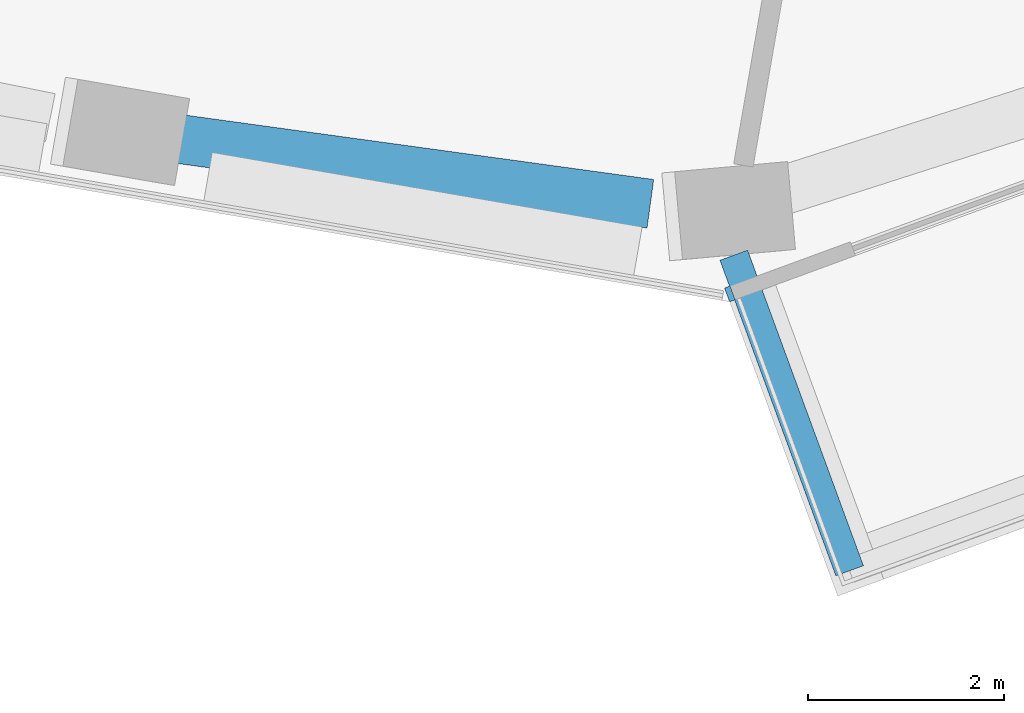
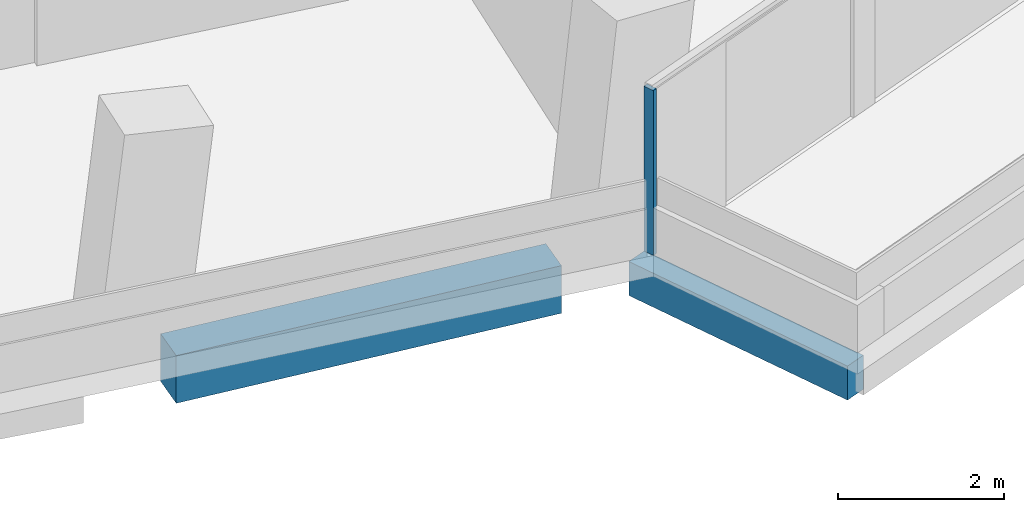
# One storey, part 3 of 24: 2 beams, 1 member, 1 element without a shape of its own.
"""IFC4 building model written with IfcOpenShell, lengths in metres."""

from ifc_helpers import new_model, si_unit, direction, frame, origin, origin_2d, place, context, subcontext, project, spatial, rectangle, extrude, material, layer, layer_set, material_profile, profile_set, type_object, element, aggregate, save


model = new_model("IFC4")

# Units and contexts
model_context = context("Model", 3, precision=1e-05, world=origin(), true_north=direction((0.0, 1.0)))
body_context = subcontext(model_context, "Body", "Model", "MODEL_VIEW")
ifc_project = project(units=[si_unit("LENGTHUNIT", "METRE"), si_unit("AREAUNIT", "SQUARE_METRE"), si_unit("VOLUMEUNIT", "CUBIC_METRE"), si_unit("PLANEANGLEUNIT", "RADIAN"), si_unit("MASSUNIT", "GRAM", prefix="KILO")], contexts=[model_context])

# Site, building, storey
site_placement = place(None, origin())
site = spatial("IfcSite", under=ifc_project, at=site_placement, CompositionType="ELEMENT")
building_placement = place(site_placement, origin())
building = spatial("IfcBuilding", under=site, at=building_placement, Name="Verdalira Terraces Hotel", CompositionType="ELEMENT")
storey_placement = place(building_placement, frame((0.0, 0.0, 115.0)))
storey = spatial("IfcBuildingStorey", under=building, at=storey_placement, Name="L27", CompositionType="ELEMENT", Elevation=115.0)

# Beam
ifc_material_1 = material(Name="Concrete C40", Category="concrete")
ifc_material_profile_1 = material_profile(ifc_material_1, rectangle(XDim=0.300049, YDim=0.5, at=origin_2d()), Name="RC 300X500")
ifc_profile_set_1 = profile_set([ifc_material_profile_1], Name="Concrete C40")
beam_type_1 = type_object("IfcBeamType", Name="Balcony cantilever beam RC 300X500 C40", PredefinedType="BEAM", material=ifc_profile_set_1)
beam_1_placement = place(storey_placement, frame((2.30127, -24.536865, -0.560059), z_axis=(0.344620446, -0.93874211, 0.0), x_axis=(0.93874211, 0.344620446, 0.0)))
element("IfcBeam", 1, at=beam_1_placement, inside=storey, type_object=beam_type_1, Name="Balcony cantilever beam R26-1", PredefinedType="BEAM", context=body_context, shape_type="SweptSolid", body=[
    extrude(rectangle(XDim=0.300049, YDim=0.5, at=origin_2d()), origin(), (0.0, 0.0, 1.0), 3.431641),
])

# Curtain wall, member
ifc_material_2 = material(Name="Clear glass", Category="glass")
ifc_layer = layer(ifc_material_2, 0.14990234375)
ifc_layer_set = layer_set([ifc_layer], Name="CW1 curtain wall")
curtain_wall_type = type_object("IfcCurtainWallType", Name="CW1 curtain wall", PredefinedType="NOTDEFINED", material=ifc_layer_set)
curtain_wall_placement = place(storey_placement, origin())
curtain_wall = element("IfcCurtainWall", 2, at=curtain_wall_placement, inside=storey, type_object=curtain_wall_type, Name="CW1 curtain wall L27 edge 26", PredefinedType="NOTDEFINED")
ifc_material_3 = material(Name="Terracotta frame", Category="masonry")
ifc_material_profile_2 = material_profile(ifc_material_3, rectangle(XDim=0.060059, YDim=0.149902, at=origin_2d()), Name="MU 60x150")
ifc_profile_set_2 = profile_set([ifc_material_profile_2], Name="Terracotta frame")
member_type = type_object("IfcMemberType", Name="CW1 mullion 60x150", PredefinedType="MULLION", material=ifc_profile_set_2)
member_placement = place(storey_placement, frame((2.260986, -24.931641, 0.0), z_axis=(0.0, 0.0, 1.0), x_axis=(0.938733858, 0.344642923, 0.0)))
member = element("IfcMember", 3, at=member_placement, type_object=member_type, Name="CW1 mullion", PredefinedType="MULLION", context=body_context, shape_type="SweptSolid", body=[
    extrude(rectangle(XDim=0.060059, YDim=0.149902, at=origin_2d()), origin(), (0.0, 0.0, 1.0), 2.425049),
])
aggregate(curtain_wall, [member])

# Beam
ifc_material_4 = material(Name="Concrete C70", Category="concrete")
ifc_material_profile_3 = material_profile(ifc_material_4, rectangle(XDim=0.5, YDim=0.699951, at=origin_2d()), Name="RC 500X700")
ifc_profile_set_3 = profile_set([ifc_material_profile_3], Name="Concrete C70")
beam_type_2 = type_object("IfcBeamType", Name="Spandrel beam RC 500X700 C70", PredefinedType="SPANDREL", material=ifc_profile_set_3)
beam_2_placement = place(storey_placement, frame((-3.516113, -23.329102, -0.659912), z_axis=(0.990690339, -0.136134685, 0.0), x_axis=(0.136134685, 0.990690339, 0.0)))
element("IfcBeam", 4, at=beam_2_placement, inside=storey, type_object=beam_type_2, Name="Spandrel beam B16", PredefinedType="SPANDREL", context=body_context, shape_type="SweptSolid", body=[
    extrude(rectangle(XDim=0.5, YDim=0.699951, at=origin_2d()), origin(), (0.0, 0.0, 1.0), 5.012451),
])

save(model, "model.ifc")
